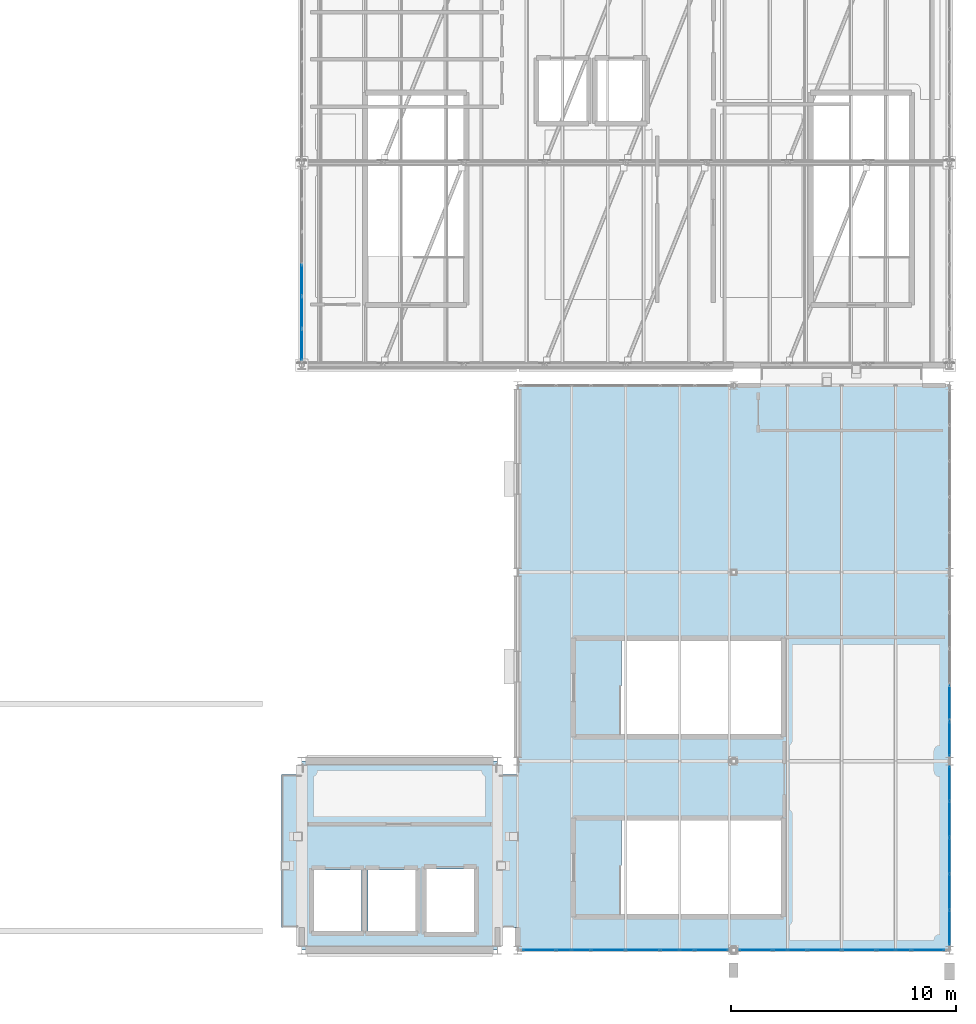
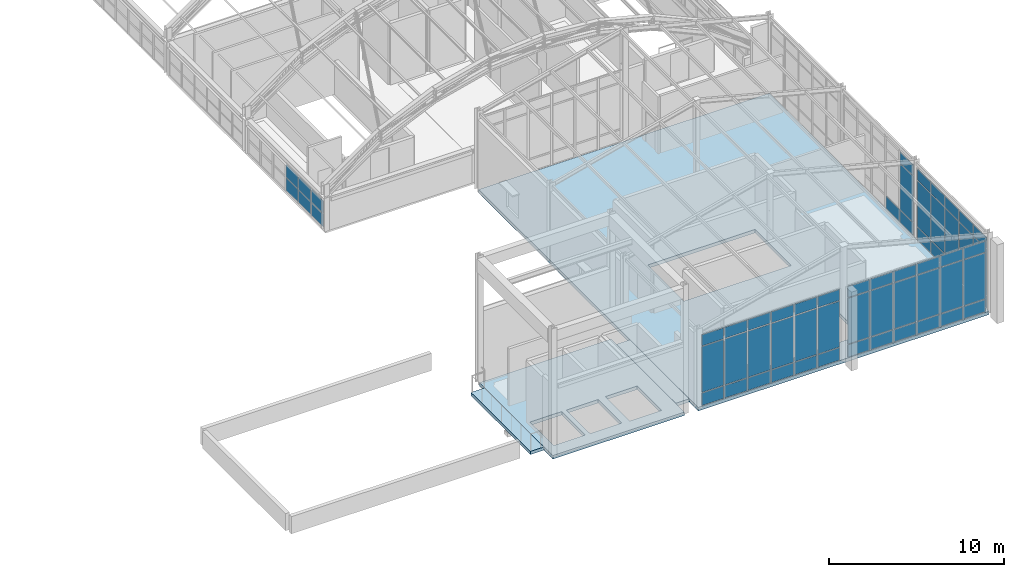
# One storey, part 96 of 121: 61 plates, 4 slabs, 5 elements without a shape of their own.
"""IFC4 building model written with IfcOpenShell, lengths in metres."""

from ifc_helpers import new_model, si_unit, direction, frame, origin, origin_2d, place, context, subcontext, project, spatial, polyline, rectangle, outline, extrude, material, layer, layer_set, type_object, element, aggregate, save


model = new_model("IFC4")

# Units and contexts
model_context = context("Model", 3, precision=1e-05, world=origin(), true_north=direction((0.0, 1.0)))
body_context = subcontext(model_context, "Body", "Model", "MODEL_VIEW")
ifc_project = project(units=[si_unit("LENGTHUNIT", "METRE"), si_unit("AREAUNIT", "SQUARE_METRE"), si_unit("VOLUMEUNIT", "CUBIC_METRE"), si_unit("PLANEANGLEUNIT", "RADIAN"), si_unit("MASSUNIT", "GRAM", prefix="KILO")], contexts=[model_context])

# Site, building, storey
site_placement = place(None, origin())
site = spatial("IfcSite", under=ifc_project, at=site_placement, CompositionType="ELEMENT")
building_placement = place(site_placement, origin())
building = spatial("IfcBuilding", under=site, at=building_placement, Name="Canglan Escarpment Cableway Terminal", CompositionType="ELEMENT")
storey_placement = place(building_placement, frame((0.0, 0.0, 24.60009765625)))
storey = spatial("IfcBuildingStorey", under=building, at=storey_placement, Name="L05", CompositionType="ELEMENT", Elevation=24.60009765625)

# Curtain wall, plates
ifc_material_1 = material(Name="Anodized bronze aluminium and Low-E double glazing", Category="aluminium")
curtain_wall_type_1 = type_object("IfcCurtainWallType", Name="CW-BAY-9225x5050", PredefinedType="NOTDEFINED", material=ifc_material_1)
curtain_wall_1_placement = place(storey_placement, origin())
curtain_wall_1 = element("IfcCurtainWall", 1, at=curtain_wall_1_placement, inside=storey, type_object=curtain_wall_type_1, Name="Classical bay-between-piers glazed curtain wall CW-37", PredefinedType="NOTDEFINED")
ifc_material_2 = material(Name="Double-silver Low-E laminated insulating glass", Category="glass")
ifc_layer_1 = layer(ifc_material_2, 0.031982421875, Name="Double-silver Low-E laminated insulating glass")
ifc_layer_set_1 = layer_set([ifc_layer_1], Name="Double-silver Low-E laminated insulating glass")
plate_type_1 = type_object("IfcPlateType", Name="CWP-03", PredefinedType="CURTAIN_PANEL", material=ifc_layer_set_1)
plate_1_placement = place(storey_placement, frame((148.15966796875, 8.0, 0.06005859375), z_axis=(0.0, 0.0, 1.0), x_axis=(1.0, 0.0, 0.0)))
plate_1 = element("IfcPlate", 2, at=plate_1_placement, type_object=plate_type_1, Name="CW-37 panel 1.1", PredefinedType="CURTAIN_PANEL", context=body_context, shape_type="SweptSolid", body=[
    extrude(rectangle(XDim=1.439453125, YDim=0.031982421875, at=origin_2d()), origin(), (0.0, 0.0, 1.0), 0.860107421875),
])
plate_2_placement = place(storey_placement, frame((148.15966796875, 8.0, 0.97998046875), z_axis=(0.0, 0.0, 1.0), x_axis=(1.0, 0.0, 0.0)))
plate_2 = element("IfcPlate", 3, at=plate_2_placement, type_object=plate_type_1, Name="CW-37 panel 1.2", PredefinedType="CURTAIN_PANEL", context=body_context, shape_type="SweptSolid", body=[
    extrude(rectangle(XDim=1.439453125, YDim=0.031982421875, at=origin_2d()), origin(), (0.0, 0.0, 1.0), 3.18994140625),
])
plate_3_placement = place(storey_placement, frame((148.15966796875, 8.0, 4.22998046875), z_axis=(0.0, 0.0, 1.0), x_axis=(1.0, 0.0, 0.0)))
plate_3 = element("IfcPlate", 4, at=plate_3_placement, type_object=plate_type_1, Name="CW-37 panel 1.3", PredefinedType="CURTAIN_PANEL", context=body_context, shape_type="SweptSolid", body=[
    extrude(rectangle(XDim=1.439453125, YDim=0.031982421875, at=origin_2d()), origin(), (0.0, 0.0, 1.0), 0.760009765625),
])
plate_4_placement = place(storey_placement, frame((149.680419921875, 8.0, 0.06005859375), z_axis=(0.0, 0.0, 1.0), x_axis=(1.0, 0.0, 0.0)))
plate_4 = element("IfcPlate", 5, at=plate_4_placement, type_object=plate_type_1, Name="CW-37 panel 2.1", PredefinedType="CURTAIN_PANEL", context=body_context, shape_type="SweptSolid", body=[
    extrude(rectangle(XDim=1.471923828125, YDim=0.031982421875, at=origin_2d()), origin(), (0.0, 0.0, 1.0), 0.860107421875),
])
plate_5_placement = place(storey_placement, frame((149.680419921875, 8.0, 0.97998046875), z_axis=(0.0, 0.0, 1.0), x_axis=(1.0, 0.0, 0.0)))
plate_5 = element("IfcPlate", 6, at=plate_5_placement, type_object=plate_type_1, Name="CW-37 panel 2.2", PredefinedType="CURTAIN_PANEL", context=body_context, shape_type="SweptSolid", body=[
    extrude(rectangle(XDim=1.471923828125, YDim=0.031982421875, at=origin_2d()), origin(), (0.0, 0.0, 1.0), 3.18994140625),
])
plate_6_placement = place(storey_placement, frame((149.680419921875, 8.0, 4.22998046875), z_axis=(0.0, 0.0, 1.0), x_axis=(1.0, 0.0, 0.0)))
plate_6 = element("IfcPlate", 7, at=plate_6_placement, type_object=plate_type_1, Name="CW-37 panel 2.3", PredefinedType="CURTAIN_PANEL", context=body_context, shape_type="SweptSolid", body=[
    extrude(rectangle(XDim=1.471923828125, YDim=0.031982421875, at=origin_2d()), origin(), (0.0, 0.0, 1.0), 0.760009765625),
])
plate_7_placement = place(storey_placement, frame((151.217529296875, 8.0, 0.06005859375), z_axis=(0.0, 0.0, 1.0), x_axis=(1.0, 0.0, 0.0)))
plate_7 = element("IfcPlate", 8, at=plate_7_placement, type_object=plate_type_1, Name="CW-37 panel 3.1", PredefinedType="CURTAIN_PANEL", context=body_context, shape_type="SweptSolid", body=[
    extrude(rectangle(XDim=1.471923828125, YDim=0.031982421875, at=origin_2d()), origin(), (0.0, 0.0, 1.0), 0.860107421875),
])
plate_8_placement = place(storey_placement, frame((151.217529296875, 8.0, 0.97998046875), z_axis=(0.0, 0.0, 1.0), x_axis=(1.0, 0.0, 0.0)))
plate_8 = element("IfcPlate", 9, at=plate_8_placement, type_object=plate_type_1, Name="CW-37 panel 3.2", PredefinedType="CURTAIN_PANEL", context=body_context, shape_type="SweptSolid", body=[
    extrude(rectangle(XDim=1.471923828125, YDim=0.031982421875, at=origin_2d()), origin(), (0.0, 0.0, 1.0), 3.18994140625),
])
plate_9_placement = place(storey_placement, frame((151.217529296875, 8.0, 4.22998046875), z_axis=(0.0, 0.0, 1.0), x_axis=(1.0, 0.0, 0.0)))
plate_9 = element("IfcPlate", 10, at=plate_9_placement, type_object=plate_type_1, Name="CW-37 panel 3.3", PredefinedType="CURTAIN_PANEL", context=body_context, shape_type="SweptSolid", body=[
    extrude(rectangle(XDim=1.471923828125, YDim=0.031982421875, at=origin_2d()), origin(), (0.0, 0.0, 1.0), 0.760009765625),
])
plate_10_placement = place(storey_placement, frame((152.75439453125, 8.0, 0.06005859375), z_axis=(0.0, 0.0, 1.0), x_axis=(1.0, 0.0, 0.0)))
plate_10 = element("IfcPlate", 11, at=plate_10_placement, type_object=plate_type_1, Name="CW-37 panel 4.1", PredefinedType="CURTAIN_PANEL", context=body_context, shape_type="SweptSolid", body=[
    extrude(rectangle(XDim=1.471923828125, YDim=0.031982421875, at=origin_2d()), origin(), (0.0, 0.0, 1.0), 0.860107421875),
])
plate_11_placement = place(storey_placement, frame((152.75439453125, 8.0, 0.97998046875), z_axis=(0.0, 0.0, 1.0), x_axis=(1.0, 0.0, 0.0)))
plate_11 = element("IfcPlate", 12, at=plate_11_placement, type_object=plate_type_1, Name="CW-37 panel 4.2", PredefinedType="CURTAIN_PANEL", context=body_context, shape_type="SweptSolid", body=[
    extrude(rectangle(XDim=1.471923828125, YDim=0.031982421875, at=origin_2d()), origin(), (0.0, 0.0, 1.0), 3.18994140625),
])
plate_12_placement = place(storey_placement, frame((152.75439453125, 8.0, 4.22998046875), z_axis=(0.0, 0.0, 1.0), x_axis=(1.0, 0.0, 0.0)))
plate_12 = element("IfcPlate", 13, at=plate_12_placement, type_object=plate_type_1, Name="CW-37 panel 4.3", PredefinedType="CURTAIN_PANEL", context=body_context, shape_type="SweptSolid", body=[
    extrude(rectangle(XDim=1.471923828125, YDim=0.031982421875, at=origin_2d()), origin(), (0.0, 0.0, 1.0), 0.760009765625),
])
plate_13_placement = place(storey_placement, frame((154.291259765625, 8.0, 0.06005859375), z_axis=(0.0, 0.0, 1.0), x_axis=(1.0, 0.0, 0.0)))
plate_13 = element("IfcPlate", 14, at=plate_13_placement, type_object=plate_type_1, Name="CW-37 panel 5.1", PredefinedType="CURTAIN_PANEL", context=body_context, shape_type="SweptSolid", body=[
    extrude(rectangle(XDim=1.471923828125, YDim=0.031982421875, at=origin_2d()), origin(), (0.0, 0.0, 1.0), 0.860107421875),
])
plate_14_placement = place(storey_placement, frame((154.291259765625, 8.0, 0.97998046875), z_axis=(0.0, 0.0, 1.0), x_axis=(1.0, 0.0, 0.0)))
plate_14 = element("IfcPlate", 15, at=plate_14_placement, type_object=plate_type_1, Name="CW-37 panel 5.2", PredefinedType="CURTAIN_PANEL", context=body_context, shape_type="SweptSolid", body=[
    extrude(rectangle(XDim=1.471923828125, YDim=0.031982421875, at=origin_2d()), origin(), (0.0, 0.0, 1.0), 3.18994140625),
])
plate_15_placement = place(storey_placement, frame((154.291259765625, 8.0, 4.22998046875), z_axis=(0.0, 0.0, 1.0), x_axis=(1.0, 0.0, 0.0)))
plate_15 = element("IfcPlate", 16, at=plate_15_placement, type_object=plate_type_1, Name="CW-37 panel 5.3", PredefinedType="CURTAIN_PANEL", context=body_context, shape_type="SweptSolid", body=[
    extrude(rectangle(XDim=1.471923828125, YDim=0.031982421875, at=origin_2d()), origin(), (0.0, 0.0, 1.0), 0.760009765625),
])
plate_16_placement = place(storey_placement, frame((155.81201171875, 8.0, 0.06005859375), z_axis=(0.0, 0.0, 1.0), x_axis=(1.0, 0.0, 0.0)))
plate_16 = element("IfcPlate", 17, at=plate_16_placement, type_object=plate_type_1, Name="CW-37 panel 6.1", PredefinedType="CURTAIN_PANEL", context=body_context, shape_type="SweptSolid", body=[
    extrude(rectangle(XDim=1.439453125, YDim=0.031982421875, at=origin_2d()), origin(), (0.0, 0.0, 1.0), 0.860107421875),
])
plate_17_placement = place(storey_placement, frame((155.81201171875, 8.0, 0.97998046875), z_axis=(0.0, 0.0, 1.0), x_axis=(1.0, 0.0, 0.0)))
plate_17 = element("IfcPlate", 18, at=plate_17_placement, type_object=plate_type_1, Name="CW-37 panel 6.2", PredefinedType="CURTAIN_PANEL", context=body_context, shape_type="SweptSolid", body=[
    extrude(rectangle(XDim=1.439453125, YDim=0.031982421875, at=origin_2d()), origin(), (0.0, 0.0, 1.0), 3.18994140625),
])
plate_18_placement = place(storey_placement, frame((155.81201171875, 8.0, 4.22998046875), z_axis=(0.0, 0.0, 1.0), x_axis=(1.0, 0.0, 0.0)))
plate_18 = element("IfcPlate", 19, at=plate_18_placement, type_object=plate_type_1, Name="CW-37 panel 6.3", PredefinedType="CURTAIN_PANEL", context=body_context, shape_type="SweptSolid", body=[
    extrude(rectangle(XDim=1.439453125, YDim=0.031982421875, at=origin_2d()), origin(), (0.0, 0.0, 1.0), 0.760009765625),
])
aggregate(curtain_wall_1, [plate_1, plate_2, plate_3, plate_4, plate_5, plate_6, plate_7, plate_8, plate_9, plate_10, plate_11, plate_12, plate_13, plate_14, plate_15, plate_16, plate_17, plate_18])

curtain_wall_type_2 = type_object("IfcCurtainWallType", Name="CW-BAY-8050x5050", PredefinedType="NOTDEFINED", material=ifc_material_1)
curtain_wall_2_placement = place(storey_placement, origin())
curtain_wall_2 = element("IfcCurtainWall", 20, at=curtain_wall_2_placement, inside=storey, type_object=curtain_wall_type_2, Name="Classical bay-between-piers glazed curtain wall CW-38", PredefinedType="NOTDEFINED")
plate_19_placement = place(storey_placement, frame((166.39990234375, 8.996337890625, 0.06005859375), z_axis=(0.0, 0.0, 1.0), x_axis=(0.0, 1.0, 0.0)))
plate_19 = element("IfcPlate", 21, at=plate_19_placement, type_object=plate_type_1, Name="CW-38 panel 1.1", PredefinedType="CURTAIN_PANEL", context=body_context, shape_type="SweptSolid", body=[
    extrude(rectangle(XDim=1.512451171875, YDim=0.031982421875, at=origin_2d()), origin(), (0.0, 0.0, 1.0), 0.860107421875),
])
plate_20_placement = place(storey_placement, frame((166.39990234375, 8.996337890625, 0.97998046875), z_axis=(0.0, 0.0, 1.0), x_axis=(0.0, 1.0, 0.0)))
plate_20 = element("IfcPlate", 22, at=plate_20_placement, type_object=plate_type_1, Name="CW-38 panel 1.2", PredefinedType="CURTAIN_PANEL", context=body_context, shape_type="SweptSolid", body=[
    extrude(rectangle(XDim=1.512451171875, YDim=0.031982421875, at=origin_2d()), origin(), (0.0, 0.0, 1.0), 3.18994140625),
])
plate_21_placement = place(storey_placement, frame((166.39990234375, 8.996337890625, 4.22998046875), z_axis=(0.0, 0.0, 1.0), x_axis=(0.0, 1.0, 0.0)))
plate_21 = element("IfcPlate", 23, at=plate_21_placement, type_object=plate_type_1, Name="CW-38 panel 1.3", PredefinedType="CURTAIN_PANEL", context=body_context, shape_type="SweptSolid", body=[
    extrude(rectangle(XDim=1.512451171875, YDim=0.031982421875, at=origin_2d()), origin(), (0.0, 0.0, 1.0), 0.760009765625),
])
plate_22_placement = place(storey_placement, frame((166.39990234375, 10.590087890625, 0.06005859375), z_axis=(0.0, 0.0, 1.0), x_axis=(0.0, 1.0, 0.0)))
plate_22 = element("IfcPlate", 24, at=plate_22_placement, type_object=plate_type_1, Name="CW-38 panel 2.1", PredefinedType="CURTAIN_PANEL", context=body_context, shape_type="SweptSolid", body=[
    extrude(rectangle(XDim=1.544921875, YDim=0.031982421875, at=origin_2d()), origin(), (0.0, 0.0, 1.0), 0.860107421875),
])
plate_23_placement = place(storey_placement, frame((166.39990234375, 10.590087890625, 0.97998046875), z_axis=(0.0, 0.0, 1.0), x_axis=(0.0, 1.0, 0.0)))
plate_23 = element("IfcPlate", 25, at=plate_23_placement, type_object=plate_type_1, Name="CW-38 panel 2.2", PredefinedType="CURTAIN_PANEL", context=body_context, shape_type="SweptSolid", body=[
    extrude(rectangle(XDim=1.544921875, YDim=0.031982421875, at=origin_2d()), origin(), (0.0, 0.0, 1.0), 3.18994140625),
])
plate_24_placement = place(storey_placement, frame((166.39990234375, 10.590087890625, 4.22998046875), z_axis=(0.0, 0.0, 1.0), x_axis=(0.0, 1.0, 0.0)))
plate_24 = element("IfcPlate", 26, at=plate_24_placement, type_object=plate_type_1, Name="CW-38 panel 2.3", PredefinedType="CURTAIN_PANEL", context=body_context, shape_type="SweptSolid", body=[
    extrude(rectangle(XDim=1.544921875, YDim=0.031982421875, at=origin_2d()), origin(), (0.0, 0.0, 1.0), 0.760009765625),
])
plate_25_placement = place(storey_placement, frame((166.39990234375, 12.199951171875, 0.06005859375), z_axis=(0.0, 0.0, 1.0), x_axis=(0.0, 1.0, 0.0)))
plate_25 = element("IfcPlate", 27, at=plate_25_placement, type_object=plate_type_1, Name="CW-38 panel 3.1", PredefinedType="CURTAIN_PANEL", context=body_context, shape_type="SweptSolid", body=[
    extrude(rectangle(XDim=1.544921875, YDim=0.031982421875, at=origin_2d()), origin(), (0.0, 0.0, 1.0), 0.860107421875),
])
plate_26_placement = place(storey_placement, frame((166.39990234375, 12.199951171875, 0.97998046875), z_axis=(0.0, 0.0, 1.0), x_axis=(0.0, 1.0, 0.0)))
plate_26 = element("IfcPlate", 28, at=plate_26_placement, type_object=plate_type_1, Name="CW-38 panel 3.2", PredefinedType="CURTAIN_PANEL", context=body_context, shape_type="SweptSolid", body=[
    extrude(rectangle(XDim=1.544921875, YDim=0.031982421875, at=origin_2d()), origin(), (0.0, 0.0, 1.0), 3.18994140625),
])
plate_27_placement = place(storey_placement, frame((166.39990234375, 12.199951171875, 4.22998046875), z_axis=(0.0, 0.0, 1.0), x_axis=(0.0, 1.0, 0.0)))
plate_27 = element("IfcPlate", 29, at=plate_27_placement, type_object=plate_type_1, Name="CW-38 panel 3.3", PredefinedType="CURTAIN_PANEL", context=body_context, shape_type="SweptSolid", body=[
    extrude(rectangle(XDim=1.544921875, YDim=0.031982421875, at=origin_2d()), origin(), (0.0, 0.0, 1.0), 0.760009765625),
])
plate_28_placement = place(storey_placement, frame((166.39990234375, 13.81005859375, 0.06005859375), z_axis=(0.0, 0.0, 1.0), x_axis=(0.0, 1.0, 0.0)))
plate_28 = element("IfcPlate", 30, at=plate_28_placement, type_object=plate_type_1, Name="CW-38 panel 4.1", PredefinedType="CURTAIN_PANEL", context=body_context, shape_type="SweptSolid", body=[
    extrude(rectangle(XDim=1.544921875, YDim=0.031982421875, at=origin_2d()), origin(), (0.0, 0.0, 1.0), 0.860107421875),
])
plate_29_placement = place(storey_placement, frame((166.39990234375, 13.81005859375, 0.97998046875), z_axis=(0.0, 0.0, 1.0), x_axis=(0.0, 1.0, 0.0)))
plate_29 = element("IfcPlate", 31, at=plate_29_placement, type_object=plate_type_1, Name="CW-38 panel 4.2", PredefinedType="CURTAIN_PANEL", context=body_context, shape_type="SweptSolid", body=[
    extrude(rectangle(XDim=1.544921875, YDim=0.031982421875, at=origin_2d()), origin(), (0.0, 0.0, 1.0), 3.18994140625),
])
plate_30_placement = place(storey_placement, frame((166.39990234375, 13.81005859375, 4.22998046875), z_axis=(0.0, 0.0, 1.0), x_axis=(0.0, 1.0, 0.0)))
plate_30 = element("IfcPlate", 32, at=plate_30_placement, type_object=plate_type_1, Name="CW-38 panel 4.3", PredefinedType="CURTAIN_PANEL", context=body_context, shape_type="SweptSolid", body=[
    extrude(rectangle(XDim=1.544921875, YDim=0.031982421875, at=origin_2d()), origin(), (0.0, 0.0, 1.0), 0.760009765625),
])
plate_31_placement = place(storey_placement, frame((166.39990234375, 15.40380859375, 0.06005859375), z_axis=(0.0, 0.0, 1.0), x_axis=(0.0, 1.0, 0.0)))
plate_31 = element("IfcPlate", 33, at=plate_31_placement, type_object=plate_type_1, Name="CW-38 panel 5.1", PredefinedType="CURTAIN_PANEL", context=body_context, shape_type="SweptSolid", body=[
    extrude(rectangle(XDim=1.512451171875, YDim=0.031982421875, at=origin_2d()), origin(), (0.0, 0.0, 1.0), 0.860107421875),
])
plate_32_placement = place(storey_placement, frame((166.39990234375, 15.40380859375, 0.97998046875), z_axis=(0.0, 0.0, 1.0), x_axis=(0.0, 1.0, 0.0)))
plate_32 = element("IfcPlate", 34, at=plate_32_placement, type_object=plate_type_1, Name="CW-38 panel 5.2", PredefinedType="CURTAIN_PANEL", context=body_context, shape_type="SweptSolid", body=[
    extrude(rectangle(XDim=1.512451171875, YDim=0.031982421875, at=origin_2d()), origin(), (0.0, 0.0, 1.0), 3.18994140625),
])
plate_33_placement = place(storey_placement, frame((166.39990234375, 15.40380859375, 4.22998046875), z_axis=(0.0, 0.0, 1.0), x_axis=(0.0, 1.0, 0.0)))
plate_33 = element("IfcPlate", 35, at=plate_33_placement, type_object=plate_type_1, Name="CW-38 panel 5.3", PredefinedType="CURTAIN_PANEL", context=body_context, shape_type="SweptSolid", body=[
    extrude(rectangle(XDim=1.512451171875, YDim=0.031982421875, at=origin_2d()), origin(), (0.0, 0.0, 1.0), 0.760009765625),
])
aggregate(curtain_wall_2, [plate_19, plate_20, plate_21, plate_22, plate_23, plate_24, plate_25, plate_26, plate_27, plate_28, plate_29, plate_30, plate_31, plate_32, plate_33])

curtain_wall_type_3 = type_object("IfcCurtainWallType", Name="CW-BAY-8650x1925", PredefinedType="NOTDEFINED", material=ifc_material_1)
curtain_wall_3_placement = place(storey_placement, origin())
curtain_wall_3 = element("IfcCurtainWall", 36, at=curtain_wall_3_placement, inside=storey, type_object=curtain_wall_type_3, Name="Classical bay-between-piers glazed curtain wall CW-65", PredefinedType="NOTDEFINED")
plate_34_placement = place(storey_placement, frame((137.60009765625, 37.779052734375, 0.06494140625), z_axis=(0.0, 0.0, 1.0), x_axis=(0.0, -1.0, 0.0)))
plate_34 = element("IfcPlate", 37, at=plate_34_placement, type_object=plate_type_1, Name="CW-65 panel 4.1", PredefinedType="CURTAIN_PANEL", context=body_context, shape_type="SweptSolid", body=[
    extrude(rectangle(XDim=1.376708984375, YDim=0.031982421875, at=origin_2d()), origin(), (0.0, 0.0, 1.0), 0.868896484375),
])
plate_35_placement = place(storey_placement, frame((137.60009765625, 37.779052734375, 0.998779296875), z_axis=(0.0, 0.0, 1.0), x_axis=(0.0, -1.0, 0.0)))
plate_35 = element("IfcPlate", 38, at=plate_35_placement, type_object=plate_type_1, Name="CW-65 panel 4.2", PredefinedType="CURTAIN_PANEL", context=body_context, shape_type="SweptSolid", body=[
    extrude(rectangle(XDim=1.376708984375, YDim=0.031982421875, at=origin_2d()), origin(), (0.0, 0.0, 1.0), 0.86865234375),
])
plate_36_placement = place(storey_placement, frame((137.60009765625, 36.33740234375, 0.06494140625), z_axis=(0.0, 0.0, 1.0), x_axis=(0.0, -1.0, 0.0)))
plate_36 = element("IfcPlate", 39, at=plate_36_placement, type_object=plate_type_1, Name="CW-65 panel 5.1", PredefinedType="CURTAIN_PANEL", context=body_context, shape_type="SweptSolid", body=[
    extrude(rectangle(XDim=1.376708984375, YDim=0.031982421875, at=origin_2d()), origin(), (0.0, 0.0, 1.0), 0.868896484375),
])
plate_37_placement = place(storey_placement, frame((137.60009765625, 36.33740234375, 0.998779296875), z_axis=(0.0, 0.0, 1.0), x_axis=(0.0, -1.0, 0.0)))
plate_37 = element("IfcPlate", 40, at=plate_37_placement, type_object=plate_type_1, Name="CW-65 panel 5.2", PredefinedType="CURTAIN_PANEL", context=body_context, shape_type="SweptSolid", body=[
    extrude(rectangle(XDim=1.376708984375, YDim=0.031982421875, at=origin_2d()), origin(), (0.0, 0.0, 1.0), 0.86865234375),
])
plate_38_placement = place(storey_placement, frame((137.60009765625, 34.912109375, 0.06494140625), z_axis=(0.0, 0.0, 1.0), x_axis=(0.0, -1.0, 0.0)))
plate_38 = element("IfcPlate", 41, at=plate_38_placement, type_object=plate_type_1, Name="CW-65 panel 6.1", PredefinedType="CURTAIN_PANEL", context=body_context, shape_type="SweptSolid", body=[
    extrude(rectangle(XDim=1.34423828125, YDim=0.031982421875, at=origin_2d()), origin(), (0.0, 0.0, 1.0), 0.868896484375),
])
plate_39_placement = place(storey_placement, frame((137.60009765625, 34.912109375, 0.998779296875), z_axis=(0.0, 0.0, 1.0), x_axis=(0.0, -1.0, 0.0)))
plate_39 = element("IfcPlate", 42, at=plate_39_placement, type_object=plate_type_1, Name="CW-65 panel 6.2", PredefinedType="CURTAIN_PANEL", context=body_context, shape_type="SweptSolid", body=[
    extrude(rectangle(XDim=1.34423828125, YDim=0.031982421875, at=origin_2d()), origin(), (0.0, 0.0, 1.0), 0.86865234375),
])
aggregate(curtain_wall_3, [plate_34, plate_35, plate_36, plate_37, plate_38, plate_39])

curtain_wall_4_placement = place(storey_placement, origin())
curtain_wall_4 = element("IfcCurtainWall", 43, at=curtain_wall_4_placement, inside=storey, type_object=curtain_wall_type_1, Name="Classical bay-between-piers glazed curtain wall CW-37", PredefinedType="NOTDEFINED")
ifc_layer_2 = layer(ifc_material_2, 0.035888671875, Name="Double-silver Low-E laminated insulating glass")
ifc_layer_set_2 = layer_set([ifc_layer_2], Name="Double-silver Low-E laminated insulating glass")
plate_type_2 = type_object("IfcPlateType", Name="CWP-04", PredefinedType="CURTAIN_PANEL", material=ifc_layer_set_2)
plate_40_placement = place(storey_placement, frame((157.787841796875, 8.0, 0.06494140625), z_axis=(0.0, 0.0, 1.0), x_axis=(1.0, 0.0, 0.0)))
plate_40 = element("IfcPlate", 44, at=plate_40_placement, type_object=plate_type_2, Name="CW-37 panel 1.1", PredefinedType="CURTAIN_PANEL", context=body_context, shape_type="SweptSolid", body=[
    extrude(rectangle(XDim=1.439453125, YDim=0.035888671875, at=origin_2d()), origin(), (0.0, 0.0, 1.0), 0.8525390625),
])
plate_41_placement = place(storey_placement, frame((157.787841796875, 8.0, 0.982421875), z_axis=(0.0, 0.0, 1.0), x_axis=(1.0, 0.0, 0.0)))
plate_41 = element("IfcPlate", 45, at=plate_41_placement, type_object=plate_type_2, Name="CW-37 panel 1.2", PredefinedType="CURTAIN_PANEL", context=body_context, shape_type="SweptSolid", body=[
    extrude(rectangle(XDim=1.439453125, YDim=0.035888671875, at=origin_2d()), origin(), (0.0, 0.0, 1.0), 3.18505859375),
])
plate_42_placement = place(storey_placement, frame((157.787841796875, 8.0, 4.232421875), z_axis=(0.0, 0.0, 1.0), x_axis=(1.0, 0.0, 0.0)))
plate_42 = element("IfcPlate", 46, at=plate_42_placement, type_object=plate_type_2, Name="CW-37 panel 1.3", PredefinedType="CURTAIN_PANEL", context=body_context, shape_type="SweptSolid", body=[
    extrude(rectangle(XDim=1.439453125, YDim=0.035888671875, at=origin_2d()), origin(), (0.0, 0.0, 1.0), 0.75244140625),
])
plate_43_placement = place(storey_placement, frame((159.30859375, 8.0, 0.06494140625), z_axis=(0.0, 0.0, 1.0), x_axis=(1.0, 0.0, 0.0)))
plate_43 = element("IfcPlate", 47, at=plate_43_placement, type_object=plate_type_2, Name="CW-37 panel 2.1", PredefinedType="CURTAIN_PANEL", context=body_context, shape_type="SweptSolid", body=[
    extrude(rectangle(XDim=1.471923828125, YDim=0.035888671875, at=origin_2d()), origin(), (0.0, 0.0, 1.0), 0.8525390625),
])
plate_44_placement = place(storey_placement, frame((159.30859375, 8.0, 0.982421875), z_axis=(0.0, 0.0, 1.0), x_axis=(1.0, 0.0, 0.0)))
plate_44 = element("IfcPlate", 48, at=plate_44_placement, type_object=plate_type_2, Name="CW-37 panel 2.2", PredefinedType="CURTAIN_PANEL", context=body_context, shape_type="SweptSolid", body=[
    extrude(rectangle(XDim=1.471923828125, YDim=0.035888671875, at=origin_2d()), origin(), (0.0, 0.0, 1.0), 3.18505859375),
])
plate_45_placement = place(storey_placement, frame((159.30859375, 8.0, 4.232421875), z_axis=(0.0, 0.0, 1.0), x_axis=(1.0, 0.0, 0.0)))
plate_45 = element("IfcPlate", 49, at=plate_45_placement, type_object=plate_type_2, Name="CW-37 panel 2.3", PredefinedType="CURTAIN_PANEL", context=body_context, shape_type="SweptSolid", body=[
    extrude(rectangle(XDim=1.471923828125, YDim=0.035888671875, at=origin_2d()), origin(), (0.0, 0.0, 1.0), 0.75244140625),
])
plate_46_placement = place(storey_placement, frame((160.845703125, 8.0, 0.06494140625), z_axis=(0.0, 0.0, 1.0), x_axis=(1.0, 0.0, 0.0)))
plate_46 = element("IfcPlate", 50, at=plate_46_placement, type_object=plate_type_2, Name="CW-37 panel 3.1", PredefinedType="CURTAIN_PANEL", context=body_context, shape_type="SweptSolid", body=[
    extrude(rectangle(XDim=1.471923828125, YDim=0.035888671875, at=origin_2d()), origin(), (0.0, 0.0, 1.0), 0.8525390625),
])
plate_47_placement = place(storey_placement, frame((160.845703125, 8.0, 0.982421875), z_axis=(0.0, 0.0, 1.0), x_axis=(1.0, 0.0, 0.0)))
plate_47 = element("IfcPlate", 51, at=plate_47_placement, type_object=plate_type_2, Name="CW-37 panel 3.2", PredefinedType="CURTAIN_PANEL", context=body_context, shape_type="SweptSolid", body=[
    extrude(rectangle(XDim=1.471923828125, YDim=0.035888671875, at=origin_2d()), origin(), (0.0, 0.0, 1.0), 3.18505859375),
])
plate_48_placement = place(storey_placement, frame((160.845703125, 8.0, 4.232421875), z_axis=(0.0, 0.0, 1.0), x_axis=(1.0, 0.0, 0.0)))
plate_48 = element("IfcPlate", 52, at=plate_48_placement, type_object=plate_type_2, Name="CW-37 panel 3.3", PredefinedType="CURTAIN_PANEL", context=body_context, shape_type="SweptSolid", body=[
    extrude(rectangle(XDim=1.471923828125, YDim=0.035888671875, at=origin_2d()), origin(), (0.0, 0.0, 1.0), 0.75244140625),
])
plate_49_placement = place(storey_placement, frame((162.382568359375, 8.0, 0.06494140625), z_axis=(0.0, 0.0, 1.0), x_axis=(1.0, 0.0, 0.0)))
plate_49 = element("IfcPlate", 53, at=plate_49_placement, type_object=plate_type_2, Name="CW-37 panel 4.1", PredefinedType="CURTAIN_PANEL", context=body_context, shape_type="SweptSolid", body=[
    extrude(rectangle(XDim=1.471923828125, YDim=0.035888671875, at=origin_2d()), origin(), (0.0, 0.0, 1.0), 0.8525390625),
])
plate_50_placement = place(storey_placement, frame((162.382568359375, 8.0, 0.982421875), z_axis=(0.0, 0.0, 1.0), x_axis=(1.0, 0.0, 0.0)))
plate_50 = element("IfcPlate", 54, at=plate_50_placement, type_object=plate_type_2, Name="CW-37 panel 4.2", PredefinedType="CURTAIN_PANEL", context=body_context, shape_type="SweptSolid", body=[
    extrude(rectangle(XDim=1.471923828125, YDim=0.035888671875, at=origin_2d()), origin(), (0.0, 0.0, 1.0), 3.18505859375),
])
plate_51_placement = place(storey_placement, frame((162.382568359375, 8.0, 4.232421875), z_axis=(0.0, 0.0, 1.0), x_axis=(1.0, 0.0, 0.0)))
plate_51 = element("IfcPlate", 55, at=plate_51_placement, type_object=plate_type_2, Name="CW-37 panel 4.3", PredefinedType="CURTAIN_PANEL", context=body_context, shape_type="SweptSolid", body=[
    extrude(rectangle(XDim=1.471923828125, YDim=0.035888671875, at=origin_2d()), origin(), (0.0, 0.0, 1.0), 0.75244140625),
])
plate_52_placement = place(storey_placement, frame((163.91943359375, 8.0, 0.06494140625), z_axis=(0.0, 0.0, 1.0), x_axis=(1.0, 0.0, 0.0)))
plate_52 = element("IfcPlate", 56, at=plate_52_placement, type_object=plate_type_2, Name="CW-37 panel 5.1", PredefinedType="CURTAIN_PANEL", context=body_context, shape_type="SweptSolid", body=[
    extrude(rectangle(XDim=1.471923828125, YDim=0.035888671875, at=origin_2d()), origin(), (0.0, 0.0, 1.0), 0.8525390625),
])
plate_53_placement = place(storey_placement, frame((163.91943359375, 8.0, 0.982421875), z_axis=(0.0, 0.0, 1.0), x_axis=(1.0, 0.0, 0.0)))
plate_53 = element("IfcPlate", 57, at=plate_53_placement, type_object=plate_type_2, Name="CW-37 panel 5.2", PredefinedType="CURTAIN_PANEL", context=body_context, shape_type="SweptSolid", body=[
    extrude(rectangle(XDim=1.471923828125, YDim=0.035888671875, at=origin_2d()), origin(), (0.0, 0.0, 1.0), 3.18505859375),
])
plate_54_placement = place(storey_placement, frame((163.91943359375, 8.0, 4.232421875), z_axis=(0.0, 0.0, 1.0), x_axis=(1.0, 0.0, 0.0)))
plate_54 = element("IfcPlate", 58, at=plate_54_placement, type_object=plate_type_2, Name="CW-37 panel 5.3", PredefinedType="CURTAIN_PANEL", context=body_context, shape_type="SweptSolid", body=[
    extrude(rectangle(XDim=1.471923828125, YDim=0.035888671875, at=origin_2d()), origin(), (0.0, 0.0, 1.0), 0.75244140625),
])
plate_55_placement = place(storey_placement, frame((165.440185546875, 8.0, 0.06494140625), z_axis=(0.0, 0.0, 1.0), x_axis=(1.0, 0.0, 0.0)))
plate_55 = element("IfcPlate", 59, at=plate_55_placement, type_object=plate_type_2, Name="CW-37 panel 6.1", PredefinedType="CURTAIN_PANEL", context=body_context, shape_type="SweptSolid", body=[
    extrude(rectangle(XDim=1.439453125, YDim=0.035888671875, at=origin_2d()), origin(), (0.0, 0.0, 1.0), 0.8525390625),
])
plate_56_placement = place(storey_placement, frame((165.440185546875, 8.0, 0.982421875), z_axis=(0.0, 0.0, 1.0), x_axis=(1.0, 0.0, 0.0)))
plate_56 = element("IfcPlate", 60, at=plate_56_placement, type_object=plate_type_2, Name="CW-37 panel 6.2", PredefinedType="CURTAIN_PANEL", context=body_context, shape_type="SweptSolid", body=[
    extrude(rectangle(XDim=1.439453125, YDim=0.035888671875, at=origin_2d()), origin(), (0.0, 0.0, 1.0), 3.18505859375),
])
plate_57_placement = place(storey_placement, frame((165.440185546875, 8.0, 4.232421875), z_axis=(0.0, 0.0, 1.0), x_axis=(1.0, 0.0, 0.0)))
plate_57 = element("IfcPlate", 61, at=plate_57_placement, type_object=plate_type_2, Name="CW-37 panel 6.3", PredefinedType="CURTAIN_PANEL", context=body_context, shape_type="SweptSolid", body=[
    extrude(rectangle(XDim=1.439453125, YDim=0.035888671875, at=origin_2d()), origin(), (0.0, 0.0, 1.0), 0.75244140625),
])
aggregate(curtain_wall_4, [plate_40, plate_41, plate_42, plate_43, plate_44, plate_45, plate_46, plate_47, plate_48, plate_49, plate_50, plate_51, plate_52, plate_53, plate_54, plate_55, plate_56, plate_57])

curtain_wall_5_placement = place(storey_placement, origin())
curtain_wall_5 = element("IfcCurtainWall", 62, at=curtain_wall_5_placement, inside=storey, type_object=curtain_wall_type_2, Name="Classical bay-between-piers glazed curtain wall CW-38", PredefinedType="NOTDEFINED")
plate_58_placement = place(storey_placement, frame((166.39990234375, 17.396240234375, 0.06494140625), z_axis=(0.0, 0.0, 1.0), x_axis=(0.0, 1.0, 0.0)))
plate_58 = element("IfcPlate", 63, at=plate_58_placement, type_object=plate_type_2, Name="CW-38 panel 1.1", PredefinedType="CURTAIN_PANEL", context=body_context, shape_type="SweptSolid", body=[
    extrude(rectangle(XDim=1.512451171875, YDim=0.035888671875, at=origin_2d()), origin(), (0.0, 0.0, 1.0), 0.8525390625),
])
plate_59_placement = place(storey_placement, frame((166.39990234375, 17.396240234375, 0.982421875), z_axis=(0.0, 0.0, 1.0), x_axis=(0.0, 1.0, 0.0)))
plate_59 = element("IfcPlate", 64, at=plate_59_placement, type_object=plate_type_2, Name="CW-38 panel 1.2", PredefinedType="CURTAIN_PANEL", context=body_context, shape_type="SweptSolid", body=[
    extrude(rectangle(XDim=1.512451171875, YDim=0.035888671875, at=origin_2d()), origin(), (0.0, 0.0, 1.0), 3.18505859375),
])
plate_60_placement = place(storey_placement, frame((166.39990234375, 17.396240234375, 4.232421875), z_axis=(0.0, 0.0, 1.0), x_axis=(0.0, 1.0, 0.0)))
plate_60 = element("IfcPlate", 65, at=plate_60_placement, type_object=plate_type_2, Name="CW-38 panel 1.3", PredefinedType="CURTAIN_PANEL", context=body_context, shape_type="SweptSolid", body=[
    extrude(rectangle(XDim=1.512451171875, YDim=0.035888671875, at=origin_2d()), origin(), (0.0, 0.0, 1.0), 0.75244140625),
])
plate_61_placement = place(storey_placement, frame((166.39990234375, 18.989990234375, 0.06494140625), z_axis=(0.0, 0.0, 1.0), x_axis=(0.0, 1.0, 0.0)))
plate_61 = element("IfcPlate", 66, at=plate_61_placement, type_object=plate_type_2, Name="CW-38 panel 2.1", PredefinedType="CURTAIN_PANEL", context=body_context, shape_type="SweptSolid", body=[
    extrude(rectangle(XDim=1.544921875, YDim=0.035888671875, at=origin_2d()), origin(), (0.0, 0.0, 1.0), 0.8525390625),
])
aggregate(curtain_wall_5, [plate_58, plate_59, plate_60, plate_61])

# Slabs
ifc_material_3 = material(Name="Concrete C35", Category="concrete")
ifc_layer_3 = layer(ifc_material_3, 0.239990234375, Name="Concrete C35")
ifc_layer_set_3 = layer_set([ifc_layer_3], Name="Concrete C35")
slab_type_1 = type_object("IfcSlabType", Name="SLB-FLR-240", PredefinedType="FLOOR", material=ifc_layer_set_3)
slab_1_placement = place(storey_placement, frame((0.0, 0.0, -0.239990234375)))
element("IfcSlab", 67, at=slab_1_placement, inside=storey, type_object=slab_type_1, Name="Suspended structural floor slab L05", PredefinedType="FLOOR", context=body_context, shape_type="SweptSolid", body=[
    extrude(outline(polyline([(137.60009765625, 8.0), (146.300048828125, 8.0), (146.300048828125, 16.39990234375), (137.60009765625, 16.39990234375), (137.60009765625, 8.0)]), holes=[polyline([(138.14990234375, 8.85009765625), (138.14990234375, 11.550048828125), (140.25, 11.550048828125), (140.25, 8.85009765625), (138.14990234375, 8.85009765625)]), polyline([(140.550048828125, 11.550048828125), (142.64990234375, 11.550048828125), (142.64990234375, 8.85009765625), (140.550048828125, 8.85009765625), (140.550048828125, 11.550048828125)]), polyline([(143.14990234375, 11.60009765625), (145.25, 11.60009765625), (145.25, 8.800048828125), (143.14990234375, 8.800048828125), (143.14990234375, 11.60009765625)])]), origin(), (0.0, 0.0, 1.0), 0.239990234375),
])
slab_2_placement = place(storey_placement, frame((0.0, 0.0, -0.239990234375)))
element("IfcSlab", 68, at=slab_2_placement, inside=storey, type_object=slab_type_1, Name="Suspended structural floor slab L05", PredefinedType="FLOOR", context=body_context, shape_type="SweptSolid", body=[
    extrude(outline(polyline([(147.199951171875, 8.0), (166.39990234375, 8.0), (166.39990234375, 33.10009765625), (147.199951171875, 33.10009765625), (147.199951171875, 8.0)]), holes=[polyline([(151.800048828125, 9.60009765625), (151.800048828125, 11.75), (151.805908203125, 11.75), (151.805908203125, 13.75), (158.89990234375, 13.75), (158.89990234375, 11.75), (158.89990234375, 11.72998046875), (158.89990234375, 9.60009765625), (151.800048828125, 9.60009765625)]), polyline([(151.800048828125, 17.60009765625), (151.800048828125, 19.75), (151.805908203125, 19.75), (151.805908203125, 21.75), (158.89990234375, 21.75), (158.89990234375, 19.75), (158.89990234375, 19.72998046875), (158.89990234375, 17.60009765625), (151.800048828125, 17.60009765625)])]), origin(), (0.0, 0.0, 1.0), 0.239990234375),
])
ifc_material_4 = material(Name="Concrete C40", Category="concrete")
ifc_layer_4 = layer(ifc_material_4, 0.219970703125, Name="Concrete C40")
ifc_layer_set_4 = layer_set([ifc_layer_4], Name="Concrete C40")
slab_type_2 = type_object("IfcSlabType", Name="SLB-LINK-220", PredefinedType="FLOOR", material=ifc_layer_set_4)
slab_3_placement = place(storey_placement, frame((0.0, 0.0, -0.22021484375)))
element("IfcSlab", 69, at=slab_3_placement, inside=storey, type_object=slab_type_2, Name="Movement-joint concourse link slab MJ-S1", PredefinedType="FLOOR", context=body_context, shape_type="SweptSolid", body=[
    extrude(outline(polyline([(136.699951171875, 9.0), (136.699951171875, 15.800048828125), (137.594970703125, 15.800048828125), (137.594970703125, 9.0), (136.699951171875, 9.0)])), origin(), (0.0, 0.0, 1.0), 0.22021484375),
])
slab_4_placement = place(storey_placement, frame((0.0, 0.0, -0.22021484375)))
element("IfcSlab", 70, at=slab_4_placement, inside=storey, type_object=slab_type_2, Name="Movement-joint concourse link slab MJ-S1", PredefinedType="FLOOR", context=body_context, shape_type="SweptSolid", body=[
    extrude(outline(polyline([(147.195068359375, 15.800048828125), (147.195068359375, 9.0), (146.304931640625, 9.0), (146.304931640625, 15.800048828125), (147.195068359375, 15.800048828125)])), origin(), (0.0, 0.0, 1.0), 0.22021484375),
])

save(model, "model.ifc")
